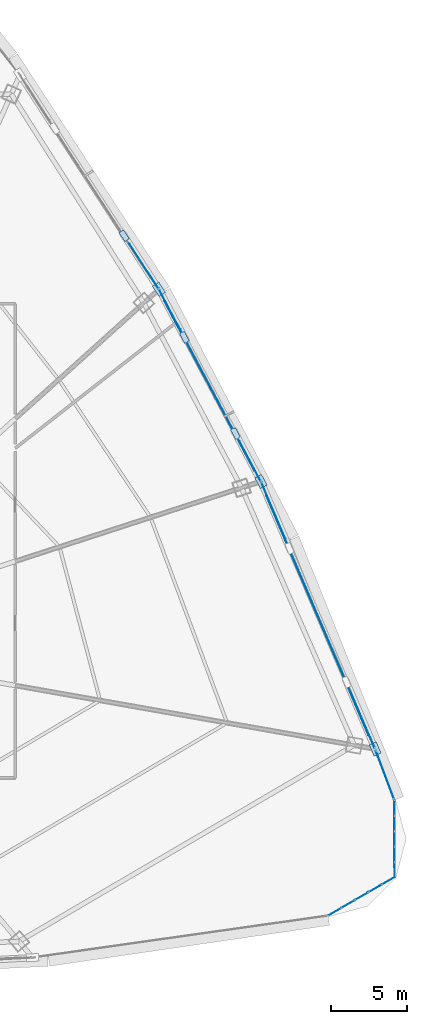
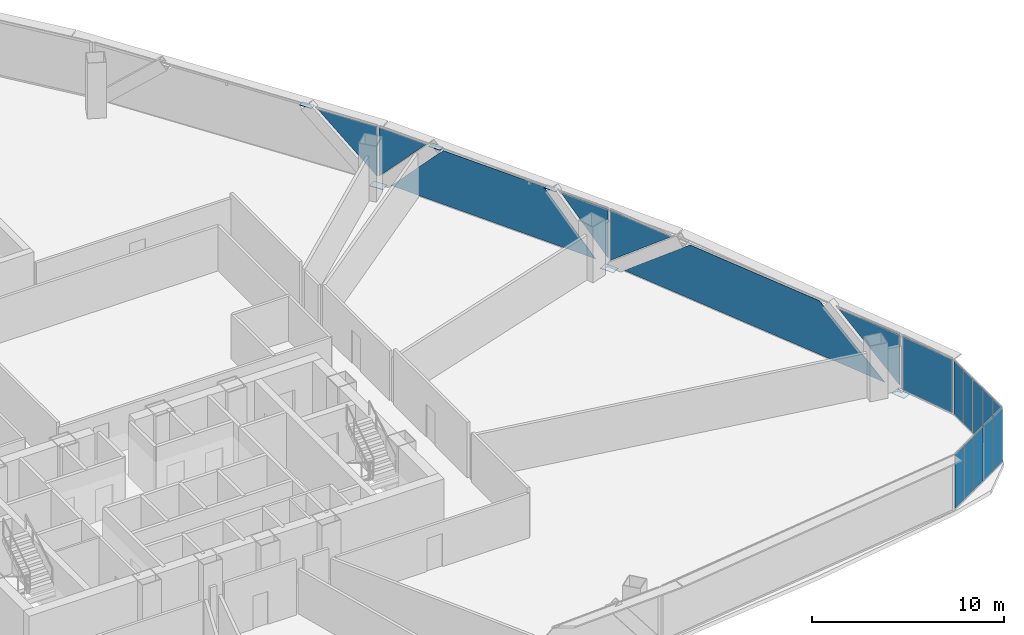
# One storey, part 32 of 41: 24 plates, 6 elements without a shape of their own.
"""IFC4 building model written with IfcOpenShell, lengths in metres."""

from ifc_helpers import new_model, si_unit, direction, frame, origin, origin_2d, place, context, subcontext, project, spatial, polyline, rectangle, outline, extrude, source, transform, mapped, material, layer, layer_set, type_object, element, aggregate, save


model = new_model("IFC4")

# Units and contexts
model_context = context("Model", 3, precision=1e-05, world=origin(), true_north=direction((0.0, 1.0)))
body_context = subcontext(model_context, "Body", "Model", "MODEL_VIEW")
ifc_project = project(units=[si_unit("LENGTHUNIT", "METRE"), si_unit("AREAUNIT", "SQUARE_METRE"), si_unit("VOLUMEUNIT", "CUBIC_METRE"), si_unit("PLANEANGLEUNIT", "RADIAN"), si_unit("MASSUNIT", "GRAM", prefix="KILO"), si_unit("THERMODYNAMICTEMPERATUREUNIT", "KELVIN"), si_unit("POWERUNIT", "WATT")], contexts=[model_context])

# Site, building, storey
site_placement = place(None, origin())
site = spatial("IfcSite", under=ifc_project, at=site_placement, CompositionType="ELEMENT")
building_placement = place(site_placement, origin())
building = spatial("IfcBuilding", under=site, at=building_placement, Name="Yunzhuo Pagoda Commons", CompositionType="ELEMENT")
storey_placement = place(building_placement, frame((0.0, 0.0, 111.580078125)))
storey = spatial("IfcBuildingStorey", under=building, at=storey_placement, Name="L28", CompositionType="ELEMENT", Elevation=111.580078125)

# Curtain wall, plates
ifc_material_1 = material(Name="Anodized aluminium 6063-T6", Category="aluminium")
ifc_layer_1 = layer(ifc_material_1, 0.1650390625)
ifc_layer_set_1 = layer_set([ifc_layer_1], Name="Anodized aluminium 6063-T6")
curtain_wall_type_1 = type_object("IfcCurtainWallType", Name="CW-LOW Low-Zone Ribbon Curtain Wall", PredefinedType="NOTDEFINED", material=ifc_layer_set_1)
curtain_wall_1_placement = place(storey_placement, origin())
curtain_wall_1 = element("IfcCurtainWall", 1, at=curtain_wall_1_placement, inside=storey, type_object=curtain_wall_type_1, Name="L28 curtain wall CW-L28-F2B2", PredefinedType="NOTDEFINED")
ifc_material_2 = material(Name="Tempered low-e double glazing", Category="glass")
ifc_layer_2 = layer(ifc_material_2, 0.028076171875)
ifc_layer_set_2 = layer_set([ifc_layer_2], Name="Tempered low-e double glazing")
plate_type_1 = type_object("IfcPlateType", Name="CW-LOW-P Low-E Double Glazing 28", PredefinedType="CURTAIN_PANEL", material=ifc_layer_set_2)
plate_1_placement = place(storey_placement, frame((86.90087890625, 28.591064453125, 1.879150390625), z_axis=(0.919648900825, 0.392741517046, 0.0), x_axis=(-0.392741517046, 0.919648900825, 0.0)))
plate_1 = element("IfcPlate", 2, at=plate_1_placement, type_object=plate_type_1, Name="CW panel 1.1 lite 1", PredefinedType="CURTAIN_PANEL", context=body_context, shape_type="SweptSolid", body=[
    extrude(outline(polyline([(-2.00244140625, -1.6005859375), (2.00244140625, 1.600830078125), (-2.00244140625, 1.600830078125), (-2.00244140625, -1.6005859375)])), origin(), (0.0, 0.0, 1.0), 0.028076171875),
])
plate_2_placement = place(storey_placement, frame((83.951416015625, 35.4208984375, 1.77001953125), z_axis=(0.919648900825, 0.392741517046, 0.0), x_axis=(-0.392741517046, 0.919648900825, 0.0)))
plate_2 = element("IfcPlate", 3, at=plate_2_placement, type_object=plate_type_1, Name="CW panel 1.1 lite 2", PredefinedType="CURTAIN_PANEL", context=body_context, shape_type="SweptSolid", body=[
    extrude(outline(polyline([(-8.498046875, -1.7099609375), (8.498046875, -1.7099609375), (4.219970703125, 1.7099609375), (-4.219970703125, 1.7099609375), (-8.498046875, -1.7099609375)])), origin(), (0.0, 0.0, 1.0), 0.028076171875),
])
plate_3_placement = place(storey_placement, frame((81.05712890625, 42.2744140625, 1.879150390625), z_axis=(0.919648900825, 0.392741517046, 0.0), x_axis=(-0.392741517046, 0.919648900825, 0.0)))
plate_3 = element("IfcPlate", 4, at=plate_3_placement, type_object=plate_type_1, Name="CW panel 1.1 lite 3", PredefinedType="CURTAIN_PANEL", context=body_context, shape_type="SweptSolid", body=[
    extrude(outline(polyline([(-2.00244140625, 1.600830078125), (2.00244140625, -1.6005859375), (2.00244140625, 1.600830078125), (-2.00244140625, 1.600830078125)])), origin(), (0.0, 0.0, 1.0), 0.028076171875),
])
aggregate(curtain_wall_1, [plate_1, plate_2, plate_3])

curtain_wall_2_placement = place(storey_placement, origin())
curtain_wall_2 = element("IfcCurtainWall", 5, at=curtain_wall_2_placement, inside=storey, type_object=curtain_wall_type_1, Name="L28 curtain wall CW-L28-F2B3", PredefinedType="NOTDEFINED")
plate_4_placement = place(storey_placement, frame((79.532470703125, 45.51904296875, 1.922607421875), z_axis=(0.88333303698, 0.468745928813, 0.0), x_axis=(-0.468745928813, 0.88333303698, 0.0)))
plate_4 = element("IfcPlate", 6, at=plate_4_placement, type_object=plate_type_1, Name="CW panel 1.1 lite 1", PredefinedType="CURTAIN_PANEL", context=body_context, shape_type="SweptSolid", body=[
    extrude(outline(polyline([(-1.456787109375, -1.55712890625), (1.456787109375, 1.55712890625), (-1.456787109375, 1.55712890625), (-1.456787109375, -1.55712890625)])), origin(), (0.0, 0.0, 1.0), 0.028076171875),
])
plate_5_placement = place(storey_placement, frame((76.88623046875, 50.441650390625, 1.77001953125), z_axis=(0.88333303698, 0.468745928813, 0.0), x_axis=(-0.468745928813, 0.88333303698, 0.0)))
plate_5 = element("IfcPlate", 7, at=plate_5_placement, type_object=plate_type_1, Name="CW panel 1.1 lite 2", PredefinedType="CURTAIN_PANEL", context=body_context, shape_type="SweptSolid", body=[
    extrude(outline(polyline([(-6.290771484375, -1.7099609375), (6.290771484375, -1.7099609375), (3.091064453125, 1.7099609375), (-3.091064453125, 1.7099609375), (-6.290771484375, -1.7099609375)])), origin(), (0.0, 0.0, 1.0), 0.028076171875),
])
plate_6_placement = place(storey_placement, frame((74.29296875, 55.392333984375, 1.922607421875), z_axis=(0.88333303698, 0.468745928813, 0.0), x_axis=(-0.468745928813, 0.88333303698, 0.0)))
plate_6 = element("IfcPlate", 8, at=plate_6_placement, type_object=plate_type_1, Name="CW panel 1.1 lite 3", PredefinedType="CURTAIN_PANEL", context=body_context, shape_type="SweptSolid", body=[
    extrude(outline(polyline([(-1.456787109375, 1.55712890625), (1.456787109375, -1.55712890625), (1.456787109375, 1.55712890625), (-1.456787109375, 1.55712890625)])), origin(), (0.0, 0.0, 1.0), 0.028076171875),
])
aggregate(curtain_wall_2, [plate_4, plate_5, plate_6])

# Curtain wall, plate
curtain_wall_3_placement = place(storey_placement, origin())
curtain_wall_3 = element("IfcCurtainWall", 9, at=curtain_wall_3_placement, inside=storey, type_object=curtain_wall_type_1, Name="L28 curtain wall CW-L28-F2B4", PredefinedType="NOTDEFINED")
plate_7_placement = place(storey_placement, frame((72.597900390625, 58.251220703125, 1.896240234375), z_axis=(0.839105842503, 0.543968183884, 0.0), x_axis=(-0.543968183884, 0.839105842503, 0.0)))
plate_7 = element("IfcPlate", 10, at=plate_7_placement, type_object=plate_type_1, Name="CW panel 1.1 lite 1", PredefinedType="CURTAIN_PANEL", context=body_context, shape_type="SweptSolid", body=[
    extrude(outline(polyline([(-1.740966796875, -1.58349609375), (1.740966796875, 1.58349609375), (-1.740966796875, 1.58349609375), (-1.740966796875, -1.58349609375)])), origin(), (0.0, 0.0, 1.0), 0.028076171875),
])
aggregate(curtain_wall_3, [plate_7])

# Plates
ifc_material_3 = material(Name="Structural steel Q355B", Category="steel")
ifc_layer_3 = layer(ifc_material_3, 0.028076171875)
ifc_layer_set_3 = layer_set([ifc_layer_3], Name="Structural steel Q355B")
plate_type_2 = type_object("IfcPlateType", Name="SP-ND1 Lattice Node Cap Plate 800x500x28", PredefinedType="USERDEFINED", material=ifc_layer_set_3)
shared_shape_1 = source(origin(), body_context, "Body", "SweptSolid", [
    extrude(rectangle(XDim=0.800048828125, YDim=0.5, at=origin_2d()), origin(), (0.0, 0.0, 1.0), 0.028076171875),
])
for number, where, z_axis, x_axis, name in (
    (11, (87.7255859375, 26.6953125, -0.27392578125), (0.0, 0.0, 1.0), (-0.392738427085, 0.919650220405, 0.0), "L28 diamond node plate F2.1A"),
    (12, (80.25830078125, 44.181396484375, -0.27392578125), (0.0, 0.0, 1.0), (-0.46874711881, 0.8833324055, 0.0), "L28 diamond node plate F2.2A"),
    (13, (73.592041015625, 56.743408203125, -0.27392578125), (0.0, 0.0, 1.0), (-0.543965531672, 0.83910756185, 0.0), "L28 diamond node plate F2.3A"),
):
    element("IfcPlate", number, at=place(storey_placement, frame(where, z_axis=z_axis, x_axis=x_axis)), inside=storey, type_object=plate_type_2, Name=name, ObjectType="STIFFENER_PLATE", PredefinedType="USERDEFINED", context=body_context, shape_type="MappedRepresentation", body=[
        mapped(shared_shape_1, transform((0.0, 0.0, 0.0), scale=1.0)),
    ])
shared_shape_2 = source(origin(), body_context, "Body", "SweptSolid", [
    extrude(rectangle(XDim=0.699951171875, YDim=0.35009765625, at=origin_2d()), origin(), (0.0, 0.0, 1.0), 0.035888671875),
])
for number, where, z_axis, x_axis, name in (
    (14, (78.591796875, 47.32177734375, 3.501953125), (0.0, 0.0, 1.0), (-0.46874711881, 0.8833324055, 0.0), "L28 setback lattice tie plate F2.2L"),
    (15, (75.258544921875, 53.602783203125, 3.501953125), (0.0, 0.0, 1.0), (-0.46874711881, 0.8833324055, 0.0), "L28 setback lattice tie plate F2.2R"),
    (16, (71.319580078125, 60.248779296875, 3.501953125), (0.0, 0.0, 1.0), (-0.543965531672, 0.83910756185, 0.0), "L28 setback lattice tie plate F2.3L"),
):
    element("IfcPlate", number, at=place(storey_placement, frame(where, z_axis=z_axis, x_axis=x_axis)), inside=storey, type_object=plate_type_2, Name=name, ObjectType="STIFFENER_PLATE", PredefinedType="USERDEFINED", context=body_context, shape_type="MappedRepresentation", body=[
        mapped(shared_shape_2, transform((0.0, 0.0, 0.0), scale=1.0)),
    ])

# Curtain wall, plate
curtain_wall_4_placement = place(storey_placement, origin())
curtain_wall_4 = element("IfcCurtainWall", 17, at=curtain_wall_4_placement, inside=storey, type_object=curtain_wall_type_1, Name="L28 curtain wall CW-L28-F2B1", PredefinedType="NOTDEFINED")
shared_shape_3 = source(origin(), body_context, "Body", "SweptSolid", [
    extrude(rectangle(XDim=3.3642578125, YDim=0.028076171875, at=origin_2d()), origin(), (0.0, 0.0, 1.0), 3.419921875),
])
plate_8_placement = place(storey_placement, frame((88.3701171875, 24.99072265625, 0.06005859375), z_axis=(0.0, 0.0, 1.0), x_axis=(-0.353599796011, 0.935396805779, 0.0)))
plate_8 = element("IfcPlate", 18, at=plate_8_placement, type_object=plate_type_1, Name="CW panel 1.1", PredefinedType="CURTAIN_PANEL", context=body_context, shape_type="MappedRepresentation", body=[
    mapped(shared_shape_3, transform((0.0, 0.0, 0.0), scale=1.0)),
])
aggregate(curtain_wall_4, [plate_8])

# Curtain wall, plates
ifc_layer_4 = layer(ifc_material_1, 0.1298828125)
ifc_layer_set_4 = layer_set([ifc_layer_4], Name="Anodized aluminium 6063-T6")
curtain_wall_type_2 = type_object("IfcCurtainWallType", Name="CW-VTX Rounded Corner Curtain Wall", PredefinedType="NOTDEFINED", material=ifc_layer_set_4)
curtain_wall_5_placement = place(storey_placement, origin())
curtain_wall_5 = element("IfcCurtainWall", 19, at=curtain_wall_5_placement, inside=storey, type_object=curtain_wall_type_2, Name="L28 curtain wall CW-L28-VTX2S1", PredefinedType="NOTDEFINED")
ifc_layer_5 = layer(ifc_material_2, 0.02587890625)
ifc_layer_set_5 = layer_set([ifc_layer_5], Name="Tempered low-e double glazing")
plate_type_3 = type_object("IfcPlateType", Name="CW-VTX-P Low-E Double Glazing 26", PredefinedType="CURTAIN_PANEL", material=ifc_layer_set_5)
shared_shape_4 = source(origin(), body_context, "Body", "SweptSolid", [
    extrude(rectangle(XDim=0.934326171875, YDim=0.028076171875, at=origin_2d()), origin(), (0.0, 0.0, 1.0), 3.429931640625),
])
plate_9_placement = place(storey_placement, frame((85.097900390625, 16.05615234375, 0.05517578125), z_axis=(0.0, 0.0, 1.0), x_axis=(0.865428529789, 0.501032393989, 0.0)))
plate_9 = element("IfcPlate", 20, at=plate_9_placement, type_object=plate_type_3, Name="CW panel 1.1", PredefinedType="CURTAIN_PANEL", context=body_context, shape_type="MappedRepresentation", body=[
    mapped(shared_shape_4, transform((0.0, 0.0, 0.0), scale=1.0)),
])
plate_10_placement = place(storey_placement, frame((88.593994140625, 18.080322265625, 0.05517578125), z_axis=(0.0, 0.0, 1.0), x_axis=(0.865428529789, 0.501032393989, 0.0)))
plate_10 = element("IfcPlate", 21, at=plate_10_placement, type_object=plate_type_3, Name="CW panel 5.1", PredefinedType="CURTAIN_PANEL", context=body_context, shape_type="MappedRepresentation", body=[
    mapped(shared_shape_4, transform((0.0, 0.0, 0.0), scale=1.0)),
])

curtain_wall_6_placement = place(storey_placement, origin())
curtain_wall_6 = element("IfcCurtainWall", 22, at=curtain_wall_6_placement, inside=storey, type_object=curtain_wall_type_2, Name="L28 curtain wall CW-L28-VTX2S2", PredefinedType="NOTDEFINED")
plate_11_placement = place(storey_placement, frame((89.004150390625, 18.794677734375, 0.05517578125), z_axis=(0.0, 0.0, 1.0), x_axis=(-0.003599433805, 0.999993522017, 0.0)))
plate_11 = element("IfcPlate", 23, at=plate_11_placement, type_object=plate_type_3, Name="CW panel 1.1", PredefinedType="CURTAIN_PANEL", context=body_context, shape_type="MappedRepresentation", body=[
    mapped(shared_shape_4, transform((0.0, 0.0, 0.0), scale=1.0)),
])
plate_12_placement = place(storey_placement, frame((88.98974609375, 22.834228515625, 0.05517578125), z_axis=(0.0, 0.0, 1.0), x_axis=(-0.003599433805, 0.999993522017, 0.0)))
plate_12 = element("IfcPlate", 24, at=plate_12_placement, type_object=plate_type_3, Name="CW panel 5.1", PredefinedType="CURTAIN_PANEL", context=body_context, shape_type="MappedRepresentation", body=[
    mapped(shared_shape_4, transform((0.0, 0.0, 0.0), scale=1.0)),
])

# Plate
shared_shape_5 = source(origin(), body_context, "Body", "SweptSolid", [
    extrude(rectangle(XDim=0.9619140625, YDim=0.028076171875, at=origin_2d()), origin(), (0.0, 0.0, 1.0), 3.429931640625),
])
plate_13_placement = place(storey_placement, frame((85.9658203125, 16.558837890625, 0.05517578125), z_axis=(0.0, 0.0, 1.0), x_axis=(0.865428529789, 0.501032393989, 0.0)))
plate_13 = element("IfcPlate", 25, at=plate_13_placement, type_object=plate_type_3, Name="CW panel 2.1", PredefinedType="CURTAIN_PANEL", context=body_context, shape_type="MappedRepresentation", body=[
    mapped(shared_shape_5, transform((0.0, 0.0, 0.0), scale=1.0)),
])

plate_14_placement = place(storey_placement, frame((86.845947265625, 17.068115234375, 0.05517578125), z_axis=(0.0, 0.0, 1.0), x_axis=(0.865428529789, 0.501032393989, 0.0)))
plate_14 = element("IfcPlate", 26, at=plate_14_placement, type_object=plate_type_3, Name="CW panel 3.1", PredefinedType="CURTAIN_PANEL", context=body_context, shape_type="MappedRepresentation", body=[
    mapped(shared_shape_5, transform((0.0, 0.0, 0.0), scale=1.0)),
])

plate_15_placement = place(storey_placement, frame((87.72607421875, 17.57763671875, 0.05517578125), z_axis=(0.0, 0.0, 1.0), x_axis=(0.865428529789, 0.501032393989, 0.0)))
plate_15 = element("IfcPlate", 27, at=plate_15_placement, type_object=plate_type_3, Name="CW panel 4.1", PredefinedType="CURTAIN_PANEL", context=body_context, shape_type="MappedRepresentation", body=[
    mapped(shared_shape_5, transform((0.0, 0.0, 0.0), scale=1.0)),
])

aggregate(curtain_wall_5, [plate_9, plate_13, plate_14, plate_15, plate_10])

plate_16_placement = place(storey_placement, frame((89.00048828125, 19.797607421875, 0.05517578125), z_axis=(0.0, 0.0, 1.0), x_axis=(-0.003599433805, 0.999993522017, 0.0)))
plate_16 = element("IfcPlate", 28, at=plate_16_placement, type_object=plate_type_3, Name="CW panel 2.1", PredefinedType="CURTAIN_PANEL", context=body_context, shape_type="MappedRepresentation", body=[
    mapped(shared_shape_5, transform((0.0, 0.0, 0.0), scale=1.0)),
])

plate_17_placement = place(storey_placement, frame((88.9970703125, 20.814453125, 0.05517578125), z_axis=(0.0, 0.0, 1.0), x_axis=(-0.003599433805, 0.999993522017, 0.0)))
plate_17 = element("IfcPlate", 29, at=plate_17_placement, type_object=plate_type_3, Name="CW panel 3.1", PredefinedType="CURTAIN_PANEL", context=body_context, shape_type="MappedRepresentation", body=[
    mapped(shared_shape_5, transform((0.0, 0.0, 0.0), scale=1.0)),
])

plate_18_placement = place(storey_placement, frame((88.993408203125, 21.831298828125, 0.05517578125), z_axis=(0.0, 0.0, 1.0), x_axis=(-0.003599433805, 0.999993522017, 0.0)))
plate_18 = element("IfcPlate", 30, at=plate_18_placement, type_object=plate_type_3, Name="CW panel 4.1", PredefinedType="CURTAIN_PANEL", context=body_context, shape_type="MappedRepresentation", body=[
    mapped(shared_shape_5, transform((0.0, 0.0, 0.0), scale=1.0)),
])

aggregate(curtain_wall_6, [plate_11, plate_16, plate_17, plate_18, plate_12])

save(model, "model.ifc")
